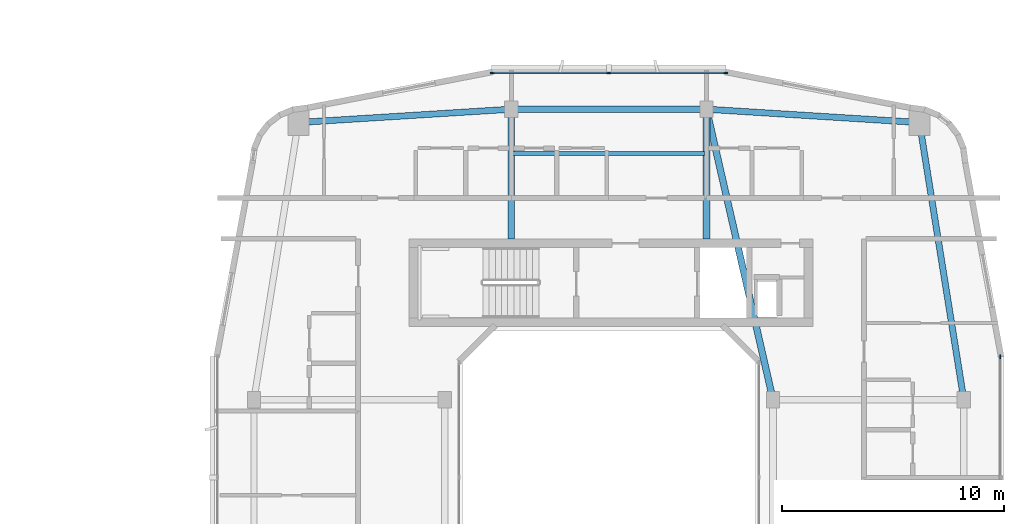
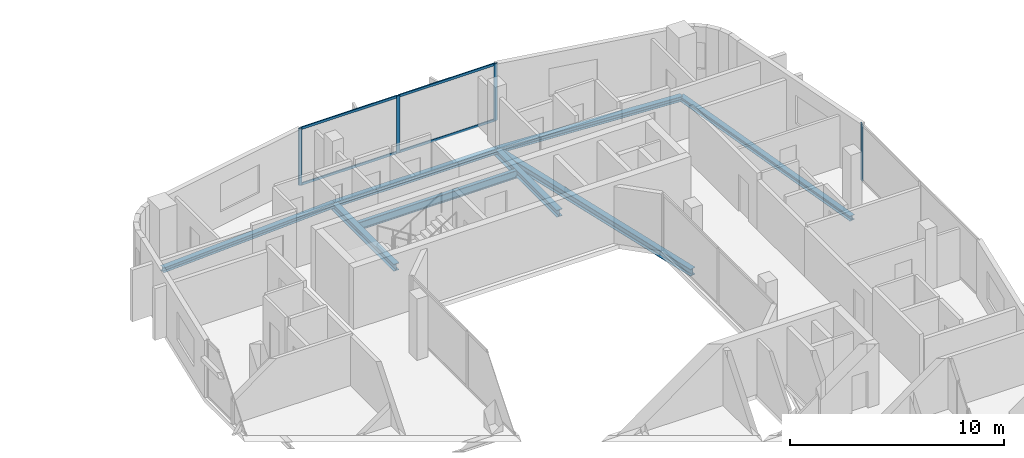
# One storey, part 10 of 26: 8 beams, 8 members, 2 elements without a shape of their own.
"""IFC4 building model written with IfcOpenShell, lengths in metres."""

from ifc_helpers import new_model, si_unit, derived_unit, direction, frame, origin, origin_2d, place, context, subcontext, project, spatial, rectangle, i_section, extrude, material, layer, layer_set, material_profile, profile_set, type_object, element, aggregate, save


model = new_model("IFC4")

# Units and contexts
model_context = context("Model", 3, precision=1e-05, world=origin(), true_north=direction((0.0, 1.0)))
body_context = subcontext(model_context, "Body", "Model", "MODEL_VIEW")
ifc_project = project(units=[si_unit("LENGTHUNIT", "METRE"), si_unit("AREAUNIT", "SQUARE_METRE"), si_unit("VOLUMEUNIT", "CUBIC_METRE"), si_unit("PLANEANGLEUNIT", "RADIAN"), si_unit("MASSUNIT", "GRAM", prefix="KILO"), derived_unit("THERMALTRANSMITTANCEUNIT", [(si_unit("POWERUNIT", "WATT"), 1), (si_unit("LENGTHUNIT", "METRE"), -2), (si_unit("THERMODYNAMICTEMPERATUREUNIT", "KELVIN"), -1)])], contexts=[model_context])

# Site, building, storey
site_placement = place(None, origin())
site = spatial("IfcSite", under=ifc_project, at=site_placement, CompositionType="ELEMENT")
building_placement = place(site_placement, origin())
building = spatial("IfcBuilding", under=site, at=building_placement, Name="Kivonza Crest Hotel", CompositionType="ELEMENT")
storey_placement = place(building_placement, frame((0.0, 0.0, 105.5)))
storey = spatial("IfcBuildingStorey", under=building, at=storey_placement, Name="L28", CompositionType="ELEMENT", Elevation=105.5)

# Beams
ifc_material_1 = material(Name="Steel S355", Category="steel")
ifc_material_profile_1 = material_profile(ifc_material_1, i_section(OverallWidth=0.280029296875, OverallDepth=0.280029296875, WebThickness=0.010498046875, FlangeThickness=0.01806640625, FilletRadius=0.02392578125, at=origin_2d()), Name="HEB 280")
ifc_profile_set_1 = profile_set([ifc_material_profile_1], Name="Steel S355")
beam_type_1 = type_object("IfcBeamType", Name="BM-HEB280", PredefinedType="SPANDREL", material=ifc_profile_set_1)
beam_1_placement = place(storey_placement, frame((93.0, 28.5, -0.389892578125), z_axis=(-0.157990501107, 0.987440631917, 0.0), x_axis=(-0.987440631917, -0.157990501107, 0.0)))
element("IfcBeam", 1, at=beam_1_placement, inside=storey, type_object=beam_type_1, Name="Companion Tower T2 L28 perimeter spandrel E2-NE", PredefinedType="SPANDREL", context=body_context, shape_type="SweptSolid", body=[
    extrude(i_section(OverallWidth=0.280029296875, OverallDepth=0.280029296875, WebThickness=0.010498046875, FlangeThickness=0.01806640625, FilletRadius=0.02392578125, at=origin_2d()), origin(), (0.0, 0.0, 1.0), 12.658935546875),
])
beam_2_placement = place(storey_placement, frame((91.0, 41.0, -0.389892578125), z_axis=(-0.998051985873, 0.062387767186, 0.0), x_axis=(-0.062387767186, -0.998051985873, 0.0)))
element("IfcBeam", 2, at=beam_2_placement, inside=storey, type_object=beam_type_1, Name="Companion Tower T2 L28 perimeter spandrel NE-N2", PredefinedType="SPANDREL", context=body_context, shape_type="SweptSolid", body=[
    extrude(i_section(OverallWidth=0.280029296875, OverallDepth=0.280029296875, WebThickness=0.010498046875, FlangeThickness=0.01806640625, FilletRadius=0.02392578125, at=origin_2d()), origin(), (0.0, 0.0, 1.0), 9.618896484375),
])
beam_3_placement = place(storey_placement, frame((81.39990234375, 41.60009765625, -0.389892578125), z_axis=(-1.0, 0.0, 0.0), x_axis=(0.0, -1.0, 0.0)))
element("IfcBeam", 3, at=beam_3_placement, inside=storey, type_object=beam_type_1, Name="Companion Tower T2 L28 perimeter spandrel N2-N1", PredefinedType="SPANDREL", context=body_context, shape_type="SweptSolid", body=[
    extrude(i_section(OverallWidth=0.280029296875, OverallDepth=0.280029296875, WebThickness=0.010498046875, FlangeThickness=0.01806640625, FilletRadius=0.02392578125, at=origin_2d()), origin(), (0.0, 0.0, 1.0), 8.7998046875),
])
beam_4_placement = place(storey_placement, frame((72.60009765625, 41.60009765625, -0.389892578125), z_axis=(-0.998051985873, -0.062387767186, 0.0), x_axis=(0.062387767186, -0.998051985873, 0.0)))
element("IfcBeam", 4, at=beam_4_placement, inside=storey, type_object=beam_type_1, Name="Companion Tower T2 L28 perimeter spandrel N1-NW", PredefinedType="SPANDREL", context=body_context, shape_type="SweptSolid", body=[
    extrude(i_section(OverallWidth=0.280029296875, OverallDepth=0.280029296875, WebThickness=0.010498046875, FlangeThickness=0.01806640625, FilletRadius=0.02392578125, at=origin_2d()), origin(), (0.0, 0.0, 1.0), 9.618896484375),
])
ifc_material_profile_2 = material_profile(ifc_material_1, i_section(OverallWidth=0.300048828125, OverallDepth=0.39990234375, WebThickness=0.013427734375, FlangeThickness=0.02392578125, FilletRadius=0.027099609375, at=origin_2d()), Name="HEB 400")
ifc_profile_set_2 = profile_set([ifc_material_profile_2], Name="Steel S355")
beam_type_2 = type_object("IfcBeamType", Name="BM-HEB400", PredefinedType="BEAM", material=ifc_profile_set_2)
beam_5_placement = place(storey_placement, frame((84.39990234375, 28.5, -0.449951171875), z_axis=(-0.223227287589, 0.974766422317, 0.0), x_axis=(-0.974766422317, -0.223227287589, 0.0)))
element("IfcBeam", 5, at=beam_5_placement, inside=storey, type_object=beam_type_2, Name="Companion Tower T2 L28 girder WR2-N2", PredefinedType="BEAM", context=body_context, shape_type="SweptSolid", body=[
    extrude(i_section(OverallWidth=0.300048828125, OverallDepth=0.39990234375, WebThickness=0.013427734375, FlangeThickness=0.02392578125, FilletRadius=0.027099609375, at=origin_2d()), origin(), (0.0, 0.0, 1.0), 13.439208984375),
])
for number, where, z_axis, x_axis, name in (
    (6, (72.60009765625, 41.60009765625, -0.449951171875), (0.0, -1.0, 0.0), (1.0, 0.0, 0.0), "Companion T2 L28 radial core girder RN1"),
    (7, (81.39990234375, 41.60009765625, -0.449951171875), (0.0, -1.0, 0.0), (1.0, 0.0, 0.0), "Companion T2 L28 radial core girder RN2"),
):
    element("IfcBeam", number, at=place(storey_placement, frame(where, z_axis=z_axis, x_axis=x_axis)), inside=storey, type_object=beam_type_2, Name=name, PredefinedType="BEAM", context=body_context, shape_type="SweptSolid", body=[
        extrude(i_section(OverallWidth=0.300048828125, OverallDepth=0.39990234375, WebThickness=0.013427734375, FlangeThickness=0.02392578125, FilletRadius=0.027099609375, at=origin_2d()), origin(), (0.0, 0.0, 1.0), 5.85009765625),
    ])
ifc_material_profile_3 = material_profile(ifc_material_1, i_section(OverallWidth=0.18994140625, OverallDepth=0.449951171875, WebThickness=0.009521484375, FlangeThickness=0.0146484375, FilletRadius=0.02099609375, at=origin_2d()), Name="IPE 450")
ifc_profile_set_3 = profile_set([ifc_material_profile_3], Name="Steel S355")
beam_type_3 = type_object("IfcBeamType", Name="BM-IPE450", PredefinedType="JOIST", material=ifc_profile_set_3)
beam_6_placement = place(storey_placement, frame((72.679931640625, 39.60009765625, -0.47509765625), z_axis=(1.0, 0.0, 0.0), x_axis=(0.0, 1.0, 0.0)))
element("IfcBeam", 8, at=beam_6_placement, inside=storey, type_object=beam_type_3, Name="Companion Tower T2 L28 North floor joist", PredefinedType="JOIST", context=body_context, shape_type="SweptSolid", body=[
    extrude(i_section(OverallWidth=0.18994140625, OverallDepth=0.449951171875, WebThickness=0.009521484375, FlangeThickness=0.0146484375, FilletRadius=0.02099609375, at=origin_2d()), origin(), (0.0, 0.0, 1.0), 8.64013671875),
])

# Curtain wall, member
ifc_material_2 = material(Name="Anodised bronze aluminium and low-E double glazing", Category="aluminium")
ifc_layer = layer(ifc_material_2, 0.179931640625)
ifc_layer_set = layer_set([ifc_layer], Name="Anodised bronze aluminium and low-E double glazing")
curtain_wall_type = type_object("IfcCurtainWallType", Name="CW-SYS-4", PredefinedType="NOTDEFINED", material=ifc_layer_set)
curtain_wall_1_placement = place(storey_placement, origin())
curtain_wall_1 = element("IfcCurtainWall", 9, at=curtain_wall_1_placement, inside=storey, type_object=curtain_wall_type, Name="L28 unitised curtain wall CW-T2-L28-17", PredefinedType="NOTDEFINED")
ifc_material_3 = material(Name="Anodised bronze aluminium", Category="aluminium")
ifc_material_profile_4 = material_profile(ifc_material_3, rectangle(XDim=0.06494140625, YDim=0.179931640625, at=origin_2d()), Name="CW-M 65x180")
ifc_profile_set_4 = profile_set([ifc_material_profile_4], Name="Anodised bronze aluminium")
member_type_1 = type_object("IfcMemberType", Name="CW-MUL-65x180", PredefinedType="MULLION", material=ifc_profile_set_4)
member_1_placement = place(storey_placement, frame((94.639892578125, 30.447509765625, 0.0), z_axis=(0.0, 0.0, 1.0), x_axis=(-1.0, 0.0, 0.0)))
member_1 = element("IfcMember", 10, at=member_1_placement, type_object=member_type_1, Name="CW-4 mullion 3", PredefinedType="MULLION", context=body_context, shape_type="SweptSolid", body=[
    extrude(rectangle(XDim=0.06494140625, YDim=0.179931640625, at=origin_2d()), origin(), (0.0, 0.0, 1.0), 3.25),
])
aggregate(curtain_wall_1, [member_1])

# Curtain wall, members
curtain_wall_2_placement = place(storey_placement, origin())
curtain_wall_2 = element("IfcCurtainWall", 11, at=curtain_wall_2_placement, inside=storey, type_object=curtain_wall_type, Name="L28 unitised curtain wall CW-T2-L28-26", PredefinedType="NOTDEFINED")
member_2_placement = place(storey_placement, frame((82.267578125, 43.239990234375, 0.0), z_axis=(0.0, 0.0, 1.0), x_axis=(0.0, -1.0, 0.0)))
member_2 = element("IfcMember", 12, at=member_2_placement, type_object=member_type_1, Name="CW-4 mullion 1", PredefinedType="MULLION", context=body_context, shape_type="SweptSolid", body=[
    extrude(rectangle(XDim=0.06494140625, YDim=0.179931640625, at=origin_2d()), origin(), (0.0, 0.0, 1.0), 3.25),
])
member_3_placement = place(storey_placement, frame((77.0, 43.239990234375, 0.0), z_axis=(0.0, 0.0, 1.0), x_axis=(0.0, -1.0, 0.0)))
member_3 = element("IfcMember", 13, at=member_3_placement, type_object=member_type_1, Name="CW-4 mullion 2", PredefinedType="MULLION", context=body_context, shape_type="SweptSolid", body=[
    extrude(rectangle(XDim=0.06494140625, YDim=0.179931640625, at=origin_2d()), origin(), (0.0, 0.0, 1.0), 3.25),
])
member_4_placement = place(storey_placement, frame((71.732421875, 43.239990234375, 0.0), z_axis=(0.0, 0.0, 1.0), x_axis=(0.0, -1.0, 0.0)))
member_4 = element("IfcMember", 14, at=member_4_placement, type_object=member_type_1, Name="CW-4 mullion 3", PredefinedType="MULLION", context=body_context, shape_type="SweptSolid", body=[
    extrude(rectangle(XDim=0.06494140625, YDim=0.179931640625, at=origin_2d()), origin(), (0.0, 0.0, 1.0), 3.25),
])
ifc_material_profile_5 = material_profile(ifc_material_3, rectangle(XDim=0.06494140625, YDim=0.139892578125, at=origin_2d()), Name="CW-T 65x140")
ifc_profile_set_5 = profile_set([ifc_material_profile_5], Name="Anodised bronze aluminium")
member_type_2 = type_object("IfcMemberType", Name="CW-TRN-65x140", PredefinedType="USERDEFINED", material=ifc_profile_set_5)
member_5_placement = place(storey_placement, frame((82.235107421875, 43.239990234375, 0.032470703125), z_axis=(-1.0, 0.0, 0.0), x_axis=(0.0, -1.0, 0.0)))
member_5 = element("IfcMember", 15, at=member_5_placement, type_object=member_type_2, Name="CW-4 transom 1.1", ObjectType="TRANSOM", PredefinedType="USERDEFINED", context=body_context, shape_type="SweptSolid", body=[
    extrude(rectangle(XDim=0.06494140625, YDim=0.139892578125, at=origin_2d()), origin(), (0.0, 0.0, 1.0), 5.20263671875),
])
member_6_placement = place(storey_placement, frame((82.235107421875, 43.239990234375, 3.217529296875), z_axis=(-1.0, 0.0, 0.0), x_axis=(0.0, -1.0, 0.0)))
member_6 = element("IfcMember", 16, at=member_6_placement, type_object=member_type_2, Name="CW-4 transom 1.2", ObjectType="TRANSOM", PredefinedType="USERDEFINED", context=body_context, shape_type="SweptSolid", body=[
    extrude(rectangle(XDim=0.06494140625, YDim=0.139892578125, at=origin_2d()), origin(), (0.0, 0.0, 1.0), 5.20263671875),
])
member_7_placement = place(storey_placement, frame((76.967529296875, 43.239990234375, 0.032470703125), z_axis=(-1.0, 0.0, 0.0), x_axis=(0.0, -1.0, 0.0)))
member_7 = element("IfcMember", 17, at=member_7_placement, type_object=member_type_2, Name="CW-4 transom 2.1", ObjectType="TRANSOM", PredefinedType="USERDEFINED", context=body_context, shape_type="SweptSolid", body=[
    extrude(rectangle(XDim=0.06494140625, YDim=0.139892578125, at=origin_2d()), origin(), (0.0, 0.0, 1.0), 5.20263671875),
])
member_8_placement = place(storey_placement, frame((76.967529296875, 43.239990234375, 3.217529296875), z_axis=(-1.0, 0.0, 0.0), x_axis=(0.0, -1.0, 0.0)))
member_8 = element("IfcMember", 18, at=member_8_placement, type_object=member_type_2, Name="CW-4 transom 2.2", ObjectType="TRANSOM", PredefinedType="USERDEFINED", context=body_context, shape_type="SweptSolid", body=[
    extrude(rectangle(XDim=0.06494140625, YDim=0.139892578125, at=origin_2d()), origin(), (0.0, 0.0, 1.0), 5.20263671875),
])
aggregate(curtain_wall_2, [member_2, member_3, member_4, member_5, member_6, member_7, member_8])

save(model, "model.ifc")
